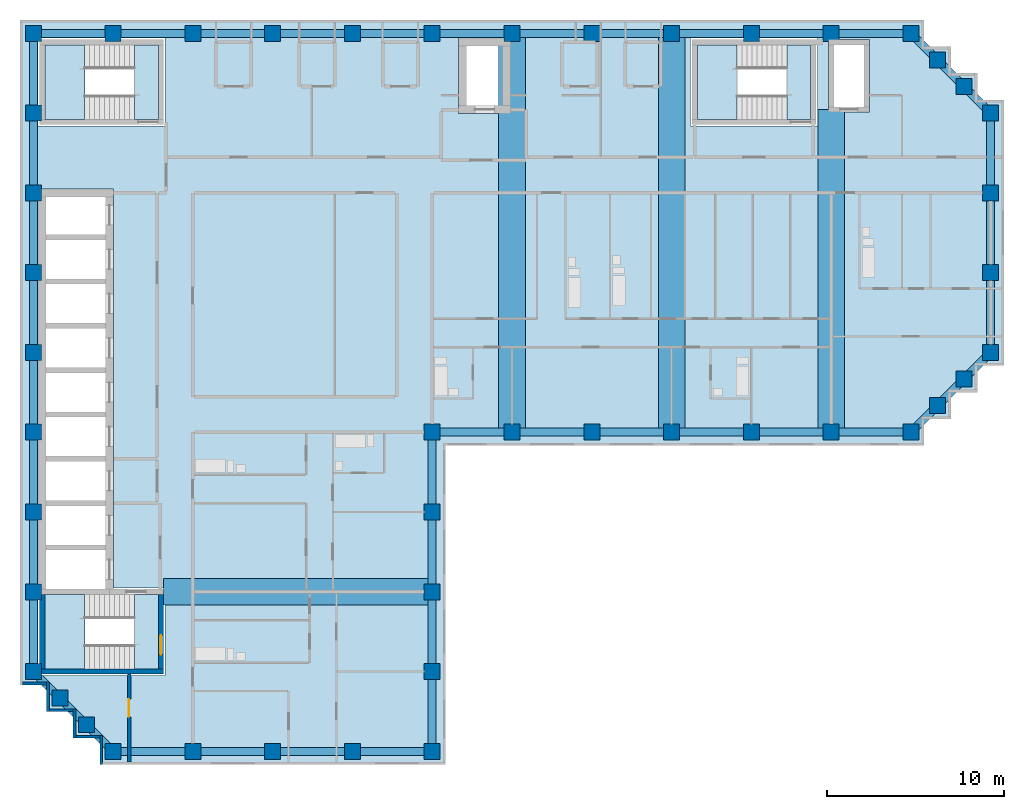
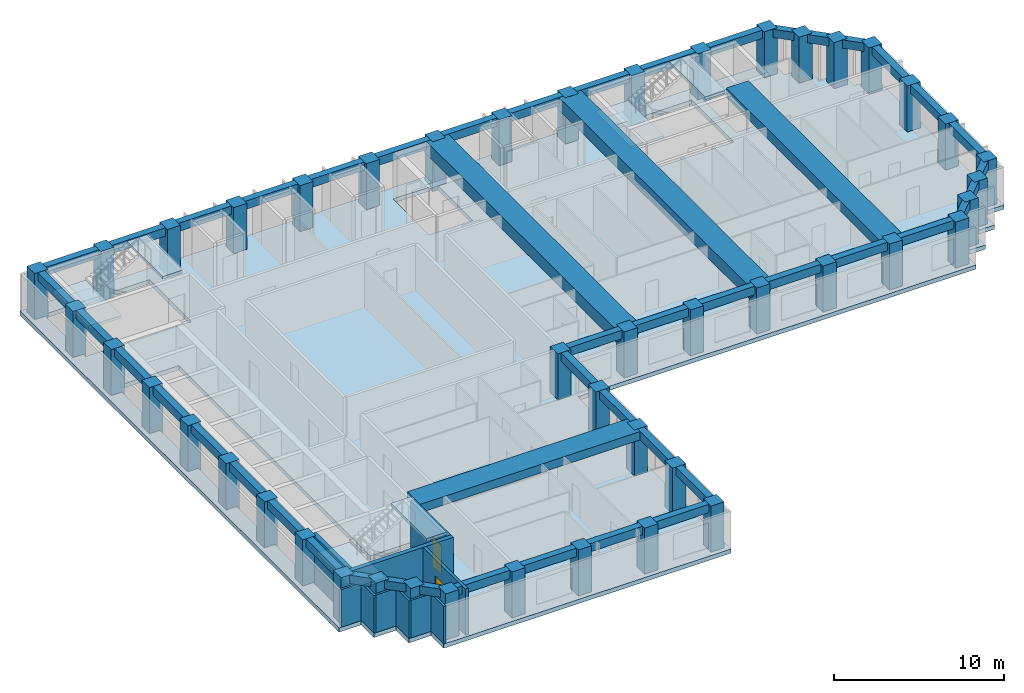
# One storey, part 1 of 9: 49 beams, 45 columns, 10 walls, 7 slabs, 2 doors, 2 openings, 3 elements without a shape of their own.
"""IFC4 building model written with IfcOpenShell, lengths in metres."""

from ifc_helpers import new_model, si_unit, direction, frame, frame_2d, origin, origin_2d, place, context, subcontext, project, spatial, polyline, rectangle, outline, extrude, material, layer, layer_set, material_profile, profile_set, type_object, element, fill, aggregate, save


model = new_model("IFC4")

# Units and contexts
model_context = context("Model", 3, precision=1e-05, world=origin(), true_north=direction((0.0, 1.0)))
body_context = subcontext(model_context, "Body", "Model", "MODEL_VIEW")
ifc_project = project(units=[si_unit("LENGTHUNIT", "METRE"), si_unit("AREAUNIT", "SQUARE_METRE"), si_unit("VOLUMEUNIT", "CUBIC_METRE"), si_unit("PLANEANGLEUNIT", "RADIAN"), si_unit("MASSUNIT", "GRAM", prefix="KILO")], contexts=[model_context])

# Site, building, storey
site_placement = place(None, origin())
site = spatial("IfcSite", under=ifc_project, at=site_placement, CompositionType="ELEMENT")
building_placement = place(site_placement, origin())
building = spatial("IfcBuilding", under=site, at=building_placement, Name="Firuza Court", CompositionType="ELEMENT")
storey_placement = place(building_placement, frame((0.0, 0.0, 225.800048828125)))
storey = spatial("IfcBuildingStorey", under=building, at=storey_placement, Name="L58", CompositionType="ELEMENT", Elevation=225.800048828125)

# Columns
ifc_material_1 = material(Name="Concrete C50/60", Category="concrete")
ifc_material_profile_1 = material_profile(ifc_material_1, rectangle(XDim=0.89990234375, YDim=0.89990234375, at=origin_2d()), Name="RC 900x900")
ifc_profile_set_1 = profile_set([ifc_material_profile_1], Name="Concrete C50/60")
column_type = type_object("IfcColumnType", Name="Tube column RC 900x900 C50/60", PredefinedType="COLUMN", material=ifc_profile_set_1)
for number, where, z_axis, x_axis, name in (
    (1, (4.5, 18.0, -0.300048828125), (0.0, 0.0, 1.0), (1.0, 0.0, 0.0), "Column C-2H L58"),
    (2, (9.0, 18.0, -0.300048828125), (0.0, 0.0, 1.0), (1.0, 0.0, 0.0), "Column C-3H L58"),
    (3, (13.5, 18.0, -0.300048828125), (0.0, 0.0, 1.0), (1.0, 0.0, 0.0), "Column C-4H L58"),
    (4, (18.0, 18.0, -0.300048828125), (0.0, 0.0, 1.0), (1.0, 0.0, 0.0), "Column C-5H L58"),
    (5, (22.5, 18.0, -0.300048828125), (0.0, 0.0, 1.0), (1.0, 0.0, 0.0), "Column C-6H L58"),
    (6, (3.0, 19.5, -0.300048828125), (0.0, 0.0, 1.0), (1.0, 0.0, 0.0), "Column C-SA1 L58"),
    (7, (1.5, 21.0, -0.300048828125), (0.0, 0.0, 1.0), (1.0, 0.0, 0.0), "Column C-SA2 L58"),
    (8, (0.0, 22.5, -0.300048828125), (0.0, 0.0, 1.0), (1.0, 0.0, 0.0), "Column C-1J L58"),
    (9, (22.5, 22.5, -0.300048828125), (0.0, 0.0, 1.0), (1.0, 0.0, 0.0), "Column C-6J L58"),
    (10, (0.0, 27.0, -0.300048828125), (0.0, 0.0, 1.0), (1.0, 0.0, 0.0), "Column C-1K L58"),
    (11, (22.5, 27.0, -0.300048828125), (0.0, 0.0, 1.0), (1.0, 0.0, 0.0), "Column C-6K L58"),
    (12, (0.0, 31.5, -0.300048828125), (0.0, 0.0, 1.0), (1.0, 0.0, 0.0), "Column C-1L L58"),
    (13, (22.5, 31.5, -0.300048828125), (0.0, 0.0, 1.0), (1.0, 0.0, 0.0), "Column C-6L L58"),
    (14, (0.0, 36.0, -0.300048828125), (0.0, 0.0, 1.0), (1.0, 0.0, 0.0), "Column C-1M L58"),
    (15, (22.5, 36.0, -0.300048828125), (0.0, 0.0, 1.0), (1.0, 0.0, 0.0), "Column C-6M L58"),
    (16, (27.0, 36.0, -0.300048828125), (0.0, 0.0, 1.0), (1.0, 0.0, 0.0), "Column C-7M L58"),
    (17, (31.5, 36.0, -0.300048828125), (0.0, 0.0, 1.0), (1.0, 0.0, 0.0), "Column C-8M L58"),
    (18, (36.0, 36.0, -0.300048828125), (0.0, 0.0, 1.0), (1.0, 0.0, 0.0), "Column C-9M L58"),
    (19, (40.5, 36.0, -0.300048828125), (0.0, 0.0, 1.0), (1.0, 0.0, 0.0), "Column C-10M L58"),
    (20, (45.0, 36.0, -0.300048828125), (0.0, 0.0, 1.0), (1.0, 0.0, 0.0), "Column C-11M L58"),
    (21, (49.5, 36.0, -0.300048828125), (0.0, 0.0, 1.0), (1.0, 0.0, 0.0), "Column C-12M L58"),
    (22, (51.0, 37.5, -0.300048828125), (0.0, 0.0, 1.0), (1.0, 0.0, 0.0), "Column C-SA3 L58"),
    (23, (52.5, 39.0, -0.300048828125), (0.0, 0.0, 1.0), (1.0, 0.0, 0.0), "Column C-SA4 L58"),
    (24, (0.0, 40.5, -0.300048828125), (0.0, 0.0, 1.0), (1.0, 0.0, 0.0), "Column C-1N L58"),
    (25, (54.0, 40.5, -0.300048828125), (0.0, 0.0, 1.0), (1.0, 0.0, 0.0), "Column C-13N L58"),
    (26, (0.0, 45.0, -0.300048828125), (0.0, 0.0, 1.0), (1.0, 0.0, 0.0), "Column C-1P L58"),
    (27, (54.0, 45.0, -0.300048828125), (0.0, 0.0, 1.0), (1.0, 0.0, 0.0), "Column C-13P L58"),
    (28, (0.0, 49.5, -0.300048828125), (0.0, 0.0, 1.0), (1.0, 0.0, 0.0), "Column C-1Q L58"),
    (29, (54.0, 49.5, -0.300048828125), (0.0, 0.0, 1.0), (1.0, 0.0, 0.0), "Column C-13Q L58"),
    (30, (0.0, 54.0, -0.300048828125), (0.0, 0.0, 1.0), (1.0, 0.0, 0.0), "Column C-1R L58"),
    (31, (54.0, 54.0, -0.300048828125), (0.0, 0.0, 1.0), (1.0, 0.0, 0.0), "Column C-13R L58"),
    (32, (52.5, 55.5, -0.300048828125), (0.0, 0.0, 1.0), (1.0, 0.0, 0.0), "Column C-SA5 L58"),
    (33, (51.0, 57.0, -0.300048828125), (0.0, 0.0, 1.0), (1.0, 0.0, 0.0), "Column C-SA6 L58"),
    (34, (0.0, 58.5, -0.300048828125), (0.0, 0.0, 1.0), (1.0, 0.0, 0.0), "Column C-1S L58"),
    (35, (4.5, 58.5, -0.300048828125), (0.0, 0.0, 1.0), (1.0, 0.0, 0.0), "Column C-2S L58"),
    (36, (9.0, 58.5, -0.300048828125), (0.0, 0.0, 1.0), (1.0, 0.0, 0.0), "Column C-3S L58"),
    (37, (13.5, 58.5, -0.300048828125), (0.0, 0.0, 1.0), (1.0, 0.0, 0.0), "Column C-4S L58"),
    (38, (18.0, 58.5, -0.300048828125), (0.0, 0.0, 1.0), (1.0, 0.0, 0.0), "Column C-5S L58"),
    (39, (22.5, 58.5, -0.300048828125), (0.0, 0.0, 1.0), (1.0, 0.0, 0.0), "Column C-6S L58"),
    (40, (27.0, 58.5, -0.300048828125), (0.0, 0.0, 1.0), (1.0, 0.0, 0.0), "Column C-7S L58"),
    (41, (31.5, 58.5, -0.300048828125), (0.0, 0.0, 1.0), (1.0, 0.0, 0.0), "Column C-8S L58"),
    (42, (36.0, 58.5, -0.300048828125), (0.0, 0.0, 1.0), (1.0, 0.0, 0.0), "Column C-9S L58"),
    (43, (40.5, 58.5, -0.300048828125), (0.0, 0.0, 1.0), (1.0, 0.0, 0.0), "Column C-10S L58"),
    (44, (45.0, 58.5, -0.300048828125), (0.0, 0.0, 1.0), (1.0, 0.0, 0.0), "Column C-11S L58"),
    (45, (49.5, 58.5, -0.300048828125), (0.0, 0.0, 1.0), (1.0, 0.0, 0.0), "Column C-12S L58"),
):
    element("IfcColumn", number, at=place(storey_placement, frame(where, z_axis=z_axis, x_axis=x_axis)), inside=storey, type_object=column_type, Name=name, PredefinedType="COLUMN", context=body_context, shape_type="SweptSolid", body=[
        extrude(rectangle(XDim=0.89990234375, YDim=0.89990234375, at=origin_2d()), origin(), (0.0, 0.0, 1.0), 3.60009765625),
    ])

# Beams
ifc_material_2 = material(Name="Concrete C40/50", Category="concrete")
ifc_material_profile_2 = material_profile(ifc_material_2, rectangle(XDim=1.5, YDim=0.60009765625, at=origin_2d()), Name="RC 1500x600")
ifc_profile_set_2 = profile_set([ifc_material_profile_2], Name="Concrete C40/50")
beam_type_1 = type_object("IfcBeamType", Name="Band beam RC 1500x600 C40/50", PredefinedType="BEAM", material=ifc_profile_set_2)
beam_1_placement = place(storey_placement, frame((22.5, 27.0, 3.0), z_axis=(-1.0, 0.0, 0.0), x_axis=(0.0, -1.0, 0.0)))
element("IfcBeam", 46, at=beam_1_placement, inside=storey, type_object=beam_type_1, Name="Band beam FB3 level L59", PredefinedType="BEAM", context=body_context, shape_type="SweptSolid", body=[
    extrude(rectangle(XDim=1.5, YDim=0.60009765625, at=origin_2d()), origin(), (0.0, 0.0, 1.0), 15.14990234375),
])
ifc_material_3 = material(Name="Concrete C40/50", Category="concrete")
ifc_material_profile_3 = material_profile(ifc_material_3, rectangle(XDim=1.5, YDim=0.699951171875, at=origin_2d()), Name="RC 1500x700")
ifc_profile_set_3 = profile_set([ifc_material_profile_3], Name="Concrete C40/50")
beam_type_2 = type_object("IfcBeamType", Name="Band beam RC 1500x700 C40/50", PredefinedType="BEAM", material=ifc_profile_set_3)
beam_2_placement = place(storey_placement, frame((45.0, 36.0, 2.949951171875), z_axis=(0.0, 1.0, 0.0), x_axis=(-1.0, 0.0, 0.0)))
element("IfcBeam", 47, at=beam_2_placement, inside=storey, type_object=beam_type_2, Name="Band beam FB1 level L59", PredefinedType="BEAM", context=body_context, shape_type="SweptSolid", body=[
    extrude(rectangle(XDim=1.5, YDim=0.699951171875, at=origin_2d()), origin(), (0.0, 0.0, 1.0), 18.199951171875),
])
ifc_material_4 = material(Name="Concrete C40/50", Category="concrete")
ifc_material_profile_4 = material_profile(ifc_material_4, rectangle(XDim=1.5, YDim=0.89990234375, at=origin_2d()), Name="RC 1500x900")
ifc_profile_set_4 = profile_set([ifc_material_profile_4], Name="Concrete C40/50")
beam_type_3 = type_object("IfcBeamType", Name="Band beam RC 1500x900 C40/50", PredefinedType="BEAM", material=ifc_profile_set_4)
for number, where, z_axis, x_axis, name in (
    (48, (27.0, 36.0, 2.849853515625), (0.0, 1.0, 0.0), (-1.0, 0.0, 0.0), "Band beam FB2 level L59"),
    (49, (36.0, 36.0, 2.849853515625), (0.0, 1.0, 0.0), (-1.0, 0.0, 0.0), "Band beam FB2 level L59"),
):
    element("IfcBeam", number, at=place(storey_placement, frame(where, z_axis=z_axis, x_axis=x_axis)), inside=storey, type_object=beam_type_3, Name=name, PredefinedType="BEAM", context=body_context, shape_type="SweptSolid", body=[
        extrude(rectangle(XDim=1.5, YDim=0.89990234375, at=origin_2d()), origin(), (0.0, 0.0, 1.0), 22.5),
    ])
ifc_material_5 = material(Name="Concrete C40/50", Category="concrete")
ifc_material_profile_5 = material_profile(ifc_material_5, rectangle(XDim=0.449951171875, YDim=0.60009765625, at=origin_2d()), Name="RC 450x600")
ifc_profile_set_5 = profile_set([ifc_material_profile_5], Name="Concrete C40/50")
beam_type_4 = type_object("IfcBeamType", Name="Spandrel beam RC 450x600 C40/50", PredefinedType="BEAM", material=ifc_profile_set_5)
beam_3_placement = place(storey_placement, frame((0.0, 22.5, 3.0), z_axis=(0.707106781187, -0.707106781187, 0.0), x_axis=(0.707106781187, 0.707106781187, 0.0)))
element("IfcBeam", 50, at=beam_3_placement, inside=storey, type_object=beam_type_4, Name="Spandrel beam SP15 level L59", PredefinedType="BEAM", context=body_context, shape_type="SweptSolid", body=[
    extrude(rectangle(XDim=0.449951171875, YDim=0.60009765625, at=origin_2d()), origin(), (0.0, 0.0, 1.0), 2.121337890625),
])
for number, where, z_axis, x_axis, name in (
    (51, (0.0, 27.0, 3.0), (0.0, -1.0, 0.0), (1.0, 0.0, 0.0), "Spandrel beam SP15 level L59"),
    (52, (0.0, 31.5, 3.0), (0.0, -1.0, 0.0), (1.0, 0.0, 0.0), "Spandrel beam SP15 level L59"),
    (53, (0.0, 36.0, 3.0), (0.0, -1.0, 0.0), (1.0, 0.0, 0.0), "Spandrel beam SP15 level L59"),
    (54, (0.0, 40.5, 3.0), (0.0, -1.0, 0.0), (1.0, 0.0, 0.0), "Spandrel beam SP15 level L59"),
    (55, (0.0, 45.0, 3.0), (0.0, -1.0, 0.0), (1.0, 0.0, 0.0), "Spandrel beam SP15 level L59"),
    (56, (0.0, 49.5, 3.0), (0.0, -1.0, 0.0), (1.0, 0.0, 0.0), "Spandrel beam SP15 level L59"),
    (57, (0.0, 54.0, 3.0), (0.0, -1.0, 0.0), (1.0, 0.0, 0.0), "Spandrel beam SP15 level L59"),
    (58, (0.0, 58.5, 3.0), (0.0, -1.0, 0.0), (1.0, 0.0, 0.0), "Spandrel beam SP15 level L59"),
):
    element("IfcBeam", number, at=place(storey_placement, frame(where, z_axis=z_axis, x_axis=x_axis)), inside=storey, type_object=beam_type_4, Name=name, PredefinedType="BEAM", context=body_context, shape_type="SweptSolid", body=[
        extrude(rectangle(XDim=0.449951171875, YDim=0.60009765625, at=origin_2d()), origin(), (0.0, 0.0, 1.0), 4.5),
    ])
for number, where, z_axis, x_axis, name in (
    (59, (1.5, 21.0, 3.0), (0.707106781187, -0.707106781187, 0.0), (0.707106781187, 0.707106781187, 0.0), "Spandrel beam SP15 level L59"),
    (60, (3.0, 19.5, 3.0), (0.707106781187, -0.707106781187, 0.0), (0.707106781187, 0.707106781187, 0.0), "Spandrel beam SP15 level L59"),
):
    element("IfcBeam", number, at=place(storey_placement, frame(where, z_axis=z_axis, x_axis=x_axis)), inside=storey, type_object=beam_type_4, Name=name, PredefinedType="BEAM", context=body_context, shape_type="SweptSolid", body=[
        extrude(rectangle(XDim=0.449951171875, YDim=0.60009765625, at=origin_2d()), origin(), (0.0, 0.0, 1.0), 2.121337890625),
    ])
for number, where, z_axis, x_axis, name in (
    (61, (4.5, 18.0, 3.0), (1.0, 0.0, 0.0), (0.0, 1.0, 0.0), "Spandrel beam SP15 level L59"),
    (62, (4.5, 58.5, 3.0), (-1.0, 0.0, 0.0), (0.0, -1.0, 0.0), "Spandrel beam SP15 level L59"),
    (63, (9.0, 18.0, 3.0), (1.0, 0.0, 0.0), (0.0, 1.0, 0.0), "Spandrel beam SP15 level L59"),
    (64, (9.0, 58.5, 3.0), (-1.0, 0.0, 0.0), (0.0, -1.0, 0.0), "Spandrel beam SP15 level L59"),
    (65, (13.5, 18.0, 3.0), (1.0, 0.0, 0.0), (0.0, 1.0, 0.0), "Spandrel beam SP15 level L59"),
    (66, (13.5, 58.5, 3.0), (-1.0, 0.0, 0.0), (0.0, -1.0, 0.0), "Spandrel beam SP15 level L59"),
    (67, (18.0, 18.0, 3.0), (1.0, 0.0, 0.0), (0.0, 1.0, 0.0), "Spandrel beam SP15 level L59"),
    (68, (18.0, 58.5, 3.0), (-1.0, 0.0, 0.0), (0.0, -1.0, 0.0), "Spandrel beam SP15 level L59"),
    (69, (22.5, 18.0, 3.0), (0.0, 1.0, 0.0), (-1.0, 0.0, 0.0), "Spandrel beam SP15 level L59"),
    (70, (22.5, 22.5, 3.0), (0.0, 1.0, 0.0), (-1.0, 0.0, 0.0), "Spandrel beam SP15 level L59"),
    (71, (22.5, 27.0, 3.0), (0.0, 1.0, 0.0), (-1.0, 0.0, 0.0), "Spandrel beam SP15 level L59"),
    (72, (22.5, 31.5, 3.0), (0.0, 1.0, 0.0), (-1.0, 0.0, 0.0), "Spandrel beam SP15 level L59"),
    (73, (22.5, 36.0, 3.0), (1.0, 0.0, 0.0), (0.0, 1.0, 0.0), "Spandrel beam SP15 level L59"),
    (74, (22.5, 58.5, 3.0), (-1.0, 0.0, 0.0), (0.0, -1.0, 0.0), "Spandrel beam SP15 level L59"),
    (75, (27.0, 36.0, 3.0), (1.0, 0.0, 0.0), (0.0, 1.0, 0.0), "Spandrel beam SP15 level L59"),
    (76, (27.0, 58.5, 3.0), (-1.0, 0.0, 0.0), (0.0, -1.0, 0.0), "Spandrel beam SP15 level L59"),
    (77, (31.5, 36.0, 3.0), (1.0, 0.0, 0.0), (0.0, 1.0, 0.0), "Spandrel beam SP15 level L59"),
    (78, (31.5, 58.5, 3.0), (-1.0, 0.0, 0.0), (0.0, -1.0, 0.0), "Spandrel beam SP15 level L59"),
    (79, (36.0, 36.0, 3.0), (1.0, 0.0, 0.0), (0.0, 1.0, 0.0), "Spandrel beam SP15 level L59"),
    (80, (36.0, 58.5, 3.0), (-1.0, 0.0, 0.0), (0.0, -1.0, 0.0), "Spandrel beam SP15 level L59"),
    (81, (40.5, 36.0, 3.0), (1.0, 0.0, 0.0), (0.0, 1.0, 0.0), "Spandrel beam SP15 level L59"),
    (82, (40.5, 58.5, 3.0), (-1.0, 0.0, 0.0), (0.0, -1.0, 0.0), "Spandrel beam SP15 level L59"),
    (83, (45.0, 36.0, 3.0), (1.0, 0.0, 0.0), (0.0, 1.0, 0.0), "Spandrel beam SP15 level L59"),
    (84, (45.0, 58.5, 3.0), (-1.0, 0.0, 0.0), (0.0, -1.0, 0.0), "Spandrel beam SP15 level L59"),
):
    element("IfcBeam", number, at=place(storey_placement, frame(where, z_axis=z_axis, x_axis=x_axis)), inside=storey, type_object=beam_type_4, Name=name, PredefinedType="BEAM", context=body_context, shape_type="SweptSolid", body=[
        extrude(rectangle(XDim=0.449951171875, YDim=0.60009765625, at=origin_2d()), origin(), (0.0, 0.0, 1.0), 4.5),
    ])
beam_4_placement = place(storey_placement, frame((49.5, 36.0, 3.0), z_axis=(0.707106781187, 0.707106781187, 0.0), x_axis=(-0.707106781187, 0.707106781187, 0.0)))
element("IfcBeam", 85, at=beam_4_placement, inside=storey, type_object=beam_type_4, Name="Spandrel beam SP15 level L59", PredefinedType="BEAM", context=body_context, shape_type="SweptSolid", body=[
    extrude(rectangle(XDim=0.449951171875, YDim=0.60009765625, at=origin_2d()), origin(), (0.0, 0.0, 1.0), 2.121337890625),
])
beam_5_placement = place(storey_placement, frame((49.5, 58.5, 3.0), z_axis=(-1.0, 0.0, 0.0), x_axis=(0.0, -1.0, 0.0)))
element("IfcBeam", 86, at=beam_5_placement, inside=storey, type_object=beam_type_4, Name="Spandrel beam SP15 level L59", PredefinedType="BEAM", context=body_context, shape_type="SweptSolid", body=[
    extrude(rectangle(XDim=0.449951171875, YDim=0.60009765625, at=origin_2d()), origin(), (0.0, 0.0, 1.0), 4.5),
])
for number, where, z_axis, x_axis, name in (
    (87, (51.0, 37.5, 3.0), (0.707106781187, 0.707106781187, 0.0), (-0.707106781187, 0.707106781187, 0.0), "Spandrel beam SP15 level L59"),
    (88, (51.0, 57.0, 3.0), (-0.707106781187, 0.707106781187, 0.0), (-0.707106781187, -0.707106781187, 0.0), "Spandrel beam SP15 level L59"),
    (89, (52.5, 39.0, 3.0), (0.707106781187, 0.707106781187, 0.0), (-0.707106781187, 0.707106781187, 0.0), "Spandrel beam SP15 level L59"),
    (90, (52.5, 55.5, 3.0), (-0.707106781187, 0.707106781187, 0.0), (-0.707106781187, -0.707106781187, 0.0), "Spandrel beam SP15 level L59"),
):
    element("IfcBeam", number, at=place(storey_placement, frame(where, z_axis=z_axis, x_axis=x_axis)), inside=storey, type_object=beam_type_4, Name=name, PredefinedType="BEAM", context=body_context, shape_type="SweptSolid", body=[
        extrude(rectangle(XDim=0.449951171875, YDim=0.60009765625, at=origin_2d()), origin(), (0.0, 0.0, 1.0), 2.121337890625),
    ])
for number, where, z_axis, x_axis, name in (
    (91, (54.0, 40.5, 3.0), (0.0, 1.0, 0.0), (-1.0, 0.0, 0.0), "Spandrel beam SP15 level L59"),
    (92, (54.0, 45.0, 3.0), (0.0, 1.0, 0.0), (-1.0, 0.0, 0.0), "Spandrel beam SP15 level L59"),
    (93, (54.0, 49.5, 3.0), (0.0, 1.0, 0.0), (-1.0, 0.0, 0.0), "Spandrel beam SP15 level L59"),
):
    element("IfcBeam", number, at=place(storey_placement, frame(where, z_axis=z_axis, x_axis=x_axis)), inside=storey, type_object=beam_type_4, Name=name, PredefinedType="BEAM", context=body_context, shape_type="SweptSolid", body=[
        extrude(rectangle(XDim=0.449951171875, YDim=0.60009765625, at=origin_2d()), origin(), (0.0, 0.0, 1.0), 4.5),
    ])
beam_6_placement = place(storey_placement, frame((54.0, 54.0, 3.0), z_axis=(-0.707106781187, 0.707106781187, 0.0), x_axis=(-0.707106781187, -0.707106781187, 0.0)))
element("IfcBeam", 94, at=beam_6_placement, inside=storey, type_object=beam_type_4, Name="Spandrel beam SP15 level L59", PredefinedType="BEAM", context=body_context, shape_type="SweptSolid", body=[
    extrude(rectangle(XDim=0.449951171875, YDim=0.60009765625, at=origin_2d()), origin(), (0.0, 0.0, 1.0), 2.121337890625),
])

# Slab
ifc_material_6 = material(Name="Concrete C40/50", Category="concrete")
ifc_layer_1 = layer(ifc_material_6, 0.300048828125)
ifc_layer_set_1 = layer_set([ifc_layer_1], Name="Concrete C40/50")
slab_type_1 = type_object("IfcSlabType", Name="Floor slab 300 C40/50", PredefinedType="FLOOR", material=ifc_layer_set_1)
slab_1_placement = place(storey_placement, frame((0.0, 0.0, -0.300048828125)))
element("IfcSlab", 95, at=slab_1_placement, inside=storey, type_object=slab_type_1, Name="Floor slab L58", PredefinedType="FLOOR", context=body_context, shape_type="SweptSolid", body=[
    extrude(outline(polyline([(-0.75, 59.25), (50.25, 59.25), (50.25, 57.75), (51.75, 57.75), (51.75, 56.25), (53.25, 56.25), (53.25, 54.75), (54.75, 54.75), (54.75, 39.75), (53.25, 39.75), (53.25, 38.25), (51.75, 38.25), (51.75, 36.75), (50.25, 36.75), (50.25, 35.25), (23.25, 35.25), (23.25, 17.25), (3.75, 17.25), (3.75, 18.75), (2.25, 18.75), (2.25, 20.25), (0.75, 20.25), (0.75, 21.75), (-0.75, 21.75), (-0.75, 59.25)]), holes=[polyline([(0.27490234375, 34.27490234375), (0.27490234375, 32.22509765625), (0.27490234375, 31.77490234375), (0.27490234375, 29.72509765625), (0.27490234375, 29.27490234375), (0.27490234375, 27.22509765625), (0.27490234375, 26.77490234375), (0.27490234375, 22.27490234375), (7.425048828125, 22.27490234375), (7.425048828125, 27.22509765625), (4.52490234375, 27.22509765625), (4.52490234375, 29.27490234375), (4.52490234375, 29.72509765625), (4.52490234375, 31.77490234375), (4.52490234375, 32.22509765625), (4.52490234375, 34.27490234375), (4.52490234375, 34.72509765625), (4.52490234375, 36.77490234375), (4.52490234375, 37.22509765625), (4.52490234375, 39.27490234375), (4.52490234375, 39.72509765625), (4.52490234375, 41.77490234375), (4.52490234375, 42.22509765625), (4.52490234375, 44.27490234375), (4.52490234375, 44.72509765625), (4.52490234375, 46.77490234375), (4.52490234375, 47.22509765625), (4.52490234375, 49.72509765625), (0.27490234375, 49.72509765625), (0.27490234375, 47.22509765625), (0.27490234375, 46.77490234375), (0.27490234375, 44.72509765625), (0.27490234375, 44.27490234375), (0.27490234375, 42.22509765625), (0.27490234375, 41.77490234375), (0.27490234375, 39.72509765625), (0.27490234375, 39.27490234375), (0.27490234375, 37.22509765625), (0.27490234375, 36.77490234375), (0.27490234375, 34.72509765625), (0.27490234375, 34.27490234375)]), polyline([(7.425048828125, 58.22509765625), (0.27490234375, 58.22509765625), (0.27490234375, 53.27490234375), (7.425048828125, 53.27490234375), (7.425048828125, 58.22509765625)]), polyline([(44.22509765625, 58.22509765625), (37.074951171875, 58.22509765625), (37.074951171875, 53.27490234375), (44.22509765625, 53.27490234375), (44.22509765625, 58.22509765625)]), polyline([(26.925048828125, 58.22509765625), (23.97509765625, 58.22509765625), (23.97509765625, 53.97509765625), (26.925048828125, 53.97509765625), (26.925048828125, 58.22509765625)]), polyline([(47.14990234375, 58.14990234375), (44.85009765625, 58.14990234375), (44.85009765625, 54.050048828125), (47.14990234375, 54.050048828125), (47.14990234375, 58.14990234375)])]), origin(), (0.0, 0.0, 1.0), 0.300048828125),
])

# Stair, slabs
ifc_material_7 = material(Name="Concrete C40/50 precast", Category="concrete")
stair_type = type_object("IfcStairType", Name="Stair 1350 x 3600 2 flights", PredefinedType="HALF_TURN_STAIR", material=ifc_material_7)
stair_1_placement = place(storey_placement, origin())
stair_1 = element("IfcStair", 96, at=stair_1_placement, inside=storey, type_object=stair_type, Name="Stair 1 L58", PredefinedType="HALF_TURN_STAIR")
ifc_material_8 = material(Name="Concrete C40/50 precast", Category="concrete")
ifc_layer_2 = layer(ifc_material_8, 0.199951171875)
ifc_layer_set_2 = layer_set([ifc_layer_2], Name="Concrete C40/50 precast")
slab_type_2 = type_object("IfcSlabType", Name="Stair landing 200", PredefinedType="LANDING", material=ifc_layer_set_2)
slab_2_placement = place(storey_placement, frame((0.0, 0.0, 1.599853515625)))
slab_2 = element("IfcSlab", 97, at=slab_2_placement, type_object=slab_type_2, Name="S1 landing 1", PredefinedType="LANDING", context=body_context, shape_type="SweptSolid", body=[
    extrude(outline(polyline([(39.699951171875, 53.64990234375), (39.699951171875, 57.85009765625), (37.449951171875, 57.85009765625), (37.449951171875, 53.64990234375), (39.699951171875, 53.64990234375)])), origin(), (0.0, 0.0, 1.0), 0.2001953125),
])
slab_3_placement = place(storey_placement, frame((0.0, 0.0, 3.39990234375)))
slab_3 = element("IfcSlab", 98, at=slab_3_placement, type_object=slab_type_2, Name="S1 landing 2", PredefinedType="LANDING", context=body_context, shape_type="SweptSolid", body=[
    extrude(outline(polyline([(43.85009765625, 53.64990234375), (43.85009765625, 57.85009765625), (42.5, 57.85009765625), (42.5, 53.64990234375), (43.85009765625, 53.64990234375)])), origin(), (0.0, 0.0, 1.0), 0.199951171875),
])
aggregate(stair_1, [slab_2, slab_3])

stair_2_placement = place(storey_placement, origin())
stair_2 = element("IfcStair", 99, at=stair_2_placement, inside=storey, type_object=stair_type, Name="Stair 2 L58", PredefinedType="HALF_TURN_STAIR")
slab_4_placement = place(storey_placement, frame((0.0, 0.0, 1.599853515625)))
slab_4 = element("IfcSlab", 100, at=slab_4_placement, type_object=slab_type_2, Name="S2 landing 1", PredefinedType="LANDING", context=body_context, shape_type="SweptSolid", body=[
    extrude(outline(polyline([(2.89990234375, 22.64990234375), (2.89990234375, 26.85009765625), (0.64990234375, 26.85009765625), (0.64990234375, 22.64990234375), (2.89990234375, 22.64990234375)])), origin(), (0.0, 0.0, 1.0), 0.2001953125),
])
slab_5_placement = place(storey_placement, frame((0.0, 0.0, 3.39990234375)))
slab_5 = element("IfcSlab", 101, at=slab_5_placement, type_object=slab_type_2, Name="S2 landing 2", PredefinedType="LANDING", context=body_context, shape_type="SweptSolid", body=[
    extrude(outline(polyline([(7.050048828125, 22.64990234375), (7.050048828125, 26.85009765625), (5.699951171875, 26.85009765625), (5.699951171875, 22.64990234375), (7.050048828125, 22.64990234375)])), origin(), (0.0, 0.0, 1.0), 0.199951171875),
])
aggregate(stair_2, [slab_4, slab_5])

stair_3_placement = place(storey_placement, origin())
stair_3 = element("IfcStair", 102, at=stair_3_placement, inside=storey, type_object=stair_type, Name="Stair 3 L58", PredefinedType="HALF_TURN_STAIR")
slab_6_placement = place(storey_placement, frame((0.0, 0.0, 1.599853515625)))
slab_6 = element("IfcSlab", 103, at=slab_6_placement, type_object=slab_type_2, Name="S3 landing 1", PredefinedType="LANDING", context=body_context, shape_type="SweptSolid", body=[
    extrude(outline(polyline([(2.89990234375, 53.64990234375), (2.89990234375, 57.85009765625), (0.64990234375, 57.85009765625), (0.64990234375, 53.64990234375), (2.89990234375, 53.64990234375)])), origin(), (0.0, 0.0, 1.0), 0.2001953125),
])
slab_7_placement = place(storey_placement, frame((0.0, 0.0, 3.39990234375)))
slab_7 = element("IfcSlab", 104, at=slab_7_placement, type_object=slab_type_2, Name="S3 landing 2", PredefinedType="LANDING", context=body_context, shape_type="SweptSolid", body=[
    extrude(outline(polyline([(7.050048828125, 53.64990234375), (7.050048828125, 57.85009765625), (5.699951171875, 57.85009765625), (5.699951171875, 53.64990234375), (7.050048828125, 53.64990234375)])), origin(), (0.0, 0.0, 1.0), 0.199951171875),
])
aggregate(stair_3, [slab_6, slab_7])

# Walls
ifc_material_9 = material(Name="Concrete C50/60", Category="concrete")
ifc_layer_3 = layer(ifc_material_9, 0.300048828125)
ifc_layer_set_3 = layer_set([ifc_layer_3], Name="Concrete C50/60")
wall_type_1 = type_object("IfcWallType", Name="Core wall 300 C50/60", PredefinedType="SHEAR", material=ifc_layer_set_3)
wall_1_placement = place(storey_placement, frame((0.35009765625, 22.5, -0.300048828125), z_axis=(0.0, 0.0, 1.0), x_axis=(1.0, 0.0, 0.0)))
element("IfcWall", 105, at=wall_1_placement, inside=storey, type_object=wall_type_1, Name="Core wall stair L58", PredefinedType="SHEAR", context=body_context, shape_type="SweptSolid", body=[
    extrude(rectangle(XDim=7.0, YDim=0.300048828125, at=frame_2d((3.5, 0.0))), origin(), (0.0, 0.0, 1.0), 3.60009765625),
])
wall_2_placement = place(storey_placement, frame((0.5, 22.64990234375, -0.300048828125), z_axis=(0.0, 0.0, 1.0), x_axis=(0.0, 1.0, 0.0)))
element("IfcWall", 106, at=wall_2_placement, inside=storey, type_object=wall_type_1, Name="Core wall stair L58", PredefinedType="SHEAR", context=body_context, shape_type="SweptSolid", body=[
    extrude(rectangle(XDim=4.2001953125, YDim=0.300048828125, at=frame_2d((2.10009765625, 0.0))), origin(), (0.0, 0.0, 1.0), 3.60009765625),
])

# Wall, opening, door
wall_3_placement = place(storey_placement, frame((7.199951171875, 22.64990234375, -0.300048828125), z_axis=(0.0, 0.0, 1.0), x_axis=(0.0, 1.0, 0.0)))
wall_3 = element("IfcWall", 107, at=wall_3_placement, inside=storey, type_object=wall_type_1, Name="Core wall stair L58", PredefinedType="SHEAR", context=body_context, shape_type="SweptSolid", body=[
    extrude(rectangle(XDim=4.2001953125, YDim=0.300048828125, at=frame_2d((2.10009765625, 0.0))), origin(), (0.0, 0.0, 1.0), 3.60009765625),
])
opening_1_placement = place(wall_3_placement, frame((0.800048828125, 0.0, 0.300048828125)))
opening_1 = element("IfcOpeningElement", 108, at=opening_1_placement, cuts=wall_3, Name="Opening D58011", PredefinedType="OPENING", context=body_context, shape_type="SweptSolid", body=[
    extrude(rectangle(XDim=1.10009765625, YDim=2.10009765625, at=frame_2d((0.550048828125, 1.050048828125))), frame((0.0, 0.162109375, 0.0), z_axis=(0.0, -1.0, 0.0), x_axis=(1.0, 0.0, 0.0)), (0.0, 0.0, 1.0), 0.323974609375),
])
ifc_material_10 = material(Name="Timber door leaf in hardwood frame", Category="wood")
door_type_1 = type_object("IfcDoorType", Name="Stair door 1100", OperationType="SINGLE_SWING_LEFT", PredefinedType="DOOR", material=ifc_material_10)
door_1_placement = place(opening_1_placement, origin())
door_1 = element("IfcDoor", 109, at=door_1_placement, inside=storey, type_object=door_type_1, Name="Stair door S2", OperationType="SINGLE_SWING_LEFT", OverallHeight=2.10009765625, OverallWidth=1.10009765625, PredefinedType="DOOR", context=body_context, shape_type="SweptSolid", body=[
    extrude(rectangle(XDim=1.10009765625, YDim=2.10009765625, at=frame_2d((0.550048828125, 1.050048828125))), frame((0.0, 0.02490234375, 0.0), z_axis=(0.0, -1.0, 0.0), x_axis=(1.0, 0.0, 0.0)), (0.0, 0.0, 1.0), 0.050048828125),
])
fill(opening_1, door_1)

ifc_material_11 = material(Name="Blockwork, plastered both sides", Category="masonry")
ifc_layer_4 = layer(ifc_material_11, 0.199951171875)
ifc_layer_set_4 = layer_set([ifc_layer_4], Name="Blockwork, plastered both sides")
wall_type_2 = type_object("IfcWallType", Name="Corridor wall 200", PredefinedType="PARTITIONING", material=ifc_layer_set_4)
wall_4_placement = place(storey_placement, frame((5.39990234375, 17.39990234375, 0.0), z_axis=(0.0, 0.0, 1.0), x_axis=(0.0, 1.0, 0.0)))
wall_4 = element("IfcWall", 110, at=wall_4_placement, inside=storey, type_object=wall_type_2, Name="Corridor wall 200 L58", PredefinedType="PARTITIONING", context=body_context, shape_type="SweptSolid", body=[
    extrude(rectangle(XDim=4.9501953125, YDim=0.199951171875, at=frame_2d((2.47509765625, 0.0))), origin(), (0.0, 0.0, 1.0), 3.300048828125),
])
opening_2_placement = place(wall_4_placement, frame((2.550048828125, 0.0, 0.0)))
opening_2 = element("IfcOpeningElement", 111, at=opening_2_placement, cuts=wall_4, Name="Opening D58013", PredefinedType="OPENING", context=body_context, shape_type="SweptSolid", body=[
    extrude(rectangle(XDim=1.0, YDim=2.10009765625, at=frame_2d((0.5, 1.050048828125))), frame((0.0, 0.11181640625, 0.0), z_axis=(0.0, -1.0, 0.0), x_axis=(1.0, 0.0, 0.0)), (0.0, 0.0, 1.0), 0.223876953125),
])
ifc_material_12 = material(Name="Timber door leaf in hardwood frame", Category="wood")
door_type_2 = type_object("IfcDoorType", Name="Store door 1000", OperationType="SINGLE_SWING_LEFT", PredefinedType="DOOR", material=ifc_material_12)
door_2_placement = place(opening_2_placement, origin())
door_2 = element("IfcDoor", 112, at=door_2_placement, inside=storey, type_object=door_type_2, Name="Comms room door", OperationType="SINGLE_SWING_RIGHT", OverallHeight=2.10009765625, OverallWidth=1.0, PredefinedType="DOOR", context=body_context, shape_type="SweptSolid", body=[
    extrude(rectangle(XDim=1.0, YDim=2.10009765625, at=frame_2d((0.5, 1.050048828125))), frame((0.0, 0.02490234375, 0.0), z_axis=(0.0, -1.0, 0.0), x_axis=(1.0, 0.0, 0.0)), (0.0, 0.0, 1.0), 0.050048828125),
])
fill(opening_2, door_2)

# Walls
ifc_material_13 = material(Name="Ceramic tile", Category="ceramic")
ifc_layer_5 = layer(ifc_material_13, 0.02001953125)
ifc_material_14 = material(Name="Mineral wool insulation", Category="insulation")
ifc_layer_6 = layer(ifc_material_14, 0.050048828125)
ifc_layer_7 = layer(ifc_material_8, 0.080078125)
ifc_layer_set_5 = layer_set([ifc_layer_5, ifc_layer_6, ifc_layer_7], Name="Concrete C40/50 precast")
wall_type_3 = type_object("IfcWallType", Name="Precast cladding wall with turquoise TILE PANEL face 150", PredefinedType="STANDARD", material=ifc_layer_set_5)
wall_5_placement = place(storey_placement, frame((-0.60009765625, 21.824951171875, 0.0), z_axis=(0.0, 0.0, 1.0), x_axis=(1.0, 0.0, 0.0)))
element("IfcWall", 113, at=wall_5_placement, inside=storey, type_object=wall_type_3, Name="Facade wall L58 S", PredefinedType="STANDARD", context=body_context, shape_type="SweptSolid", body=[
    extrude(rectangle(XDim=1.35009765625, YDim=0.14990234375, at=frame_2d((0.675048828125, 0.0))), origin(), (0.0, 0.0, 1.0), 2.699951171875),
])
wall_6_placement = place(storey_placement, frame((0.824951171875, 21.89990234375, 0.0), z_axis=(0.0, 0.0, 1.0), x_axis=(0.0, -1.0, 0.0)))
element("IfcWall", 114, at=wall_6_placement, inside=storey, type_object=wall_type_3, Name="Facade wall L58 W", PredefinedType="STANDARD", context=body_context, shape_type="SweptSolid", body=[
    extrude(rectangle(XDim=1.64990234375, YDim=0.14990234375, at=frame_2d((0.824951171875, 0.0))), origin(), (0.0, 0.0, 1.0), 2.699951171875),
])
wall_7_placement = place(storey_placement, frame((0.89990234375, 20.324951171875, 0.0), z_axis=(0.0, 0.0, 1.0), x_axis=(1.0, 0.0, 0.0)))
element("IfcWall", 115, at=wall_7_placement, inside=storey, type_object=wall_type_3, Name="Facade wall L58 S", PredefinedType="STANDARD", context=body_context, shape_type="SweptSolid", body=[
    extrude(rectangle(XDim=1.35009765625, YDim=0.14990234375, at=frame_2d((0.675048828125, 0.0))), origin(), (0.0, 0.0, 1.0), 2.699951171875),
])
wall_8_placement = place(storey_placement, frame((2.324951171875, 20.39990234375, 0.0), z_axis=(0.0, 0.0, 1.0), x_axis=(0.0, -1.0, 0.0)))
element("IfcWall", 116, at=wall_8_placement, inside=storey, type_object=wall_type_3, Name="Facade wall L58 W", PredefinedType="STANDARD", context=body_context, shape_type="SweptSolid", body=[
    extrude(rectangle(XDim=1.64990234375, YDim=0.14990234375, at=frame_2d((0.824951171875, 0.0))), origin(), (0.0, 0.0, 1.0), 2.699951171875),
])
wall_9_placement = place(storey_placement, frame((2.39990234375, 18.824951171875, 0.0), z_axis=(0.0, 0.0, 1.0), x_axis=(1.0, 0.0, 0.0)))
element("IfcWall", 117, at=wall_9_placement, inside=storey, type_object=wall_type_3, Name="Facade wall L58 S", PredefinedType="STANDARD", context=body_context, shape_type="SweptSolid", body=[
    extrude(rectangle(XDim=1.35009765625, YDim=0.14990234375, at=frame_2d((0.675048828125, 0.0))), origin(), (0.0, 0.0, 1.0), 2.699951171875),
])
wall_10_placement = place(storey_placement, frame((3.824951171875, 18.89990234375, 0.0), z_axis=(0.0, 0.0, 1.0), x_axis=(0.0, -1.0, 0.0)))
element("IfcWall", 118, at=wall_10_placement, inside=storey, type_object=wall_type_3, Name="Facade wall L58 W", PredefinedType="STANDARD", context=body_context, shape_type="SweptSolid", body=[
    extrude(rectangle(XDim=1.64990234375, YDim=0.14990234375, at=frame_2d((0.824951171875, 0.0))), origin(), (0.0, 0.0, 1.0), 2.699951171875),
])

save(model, "model.ifc")
